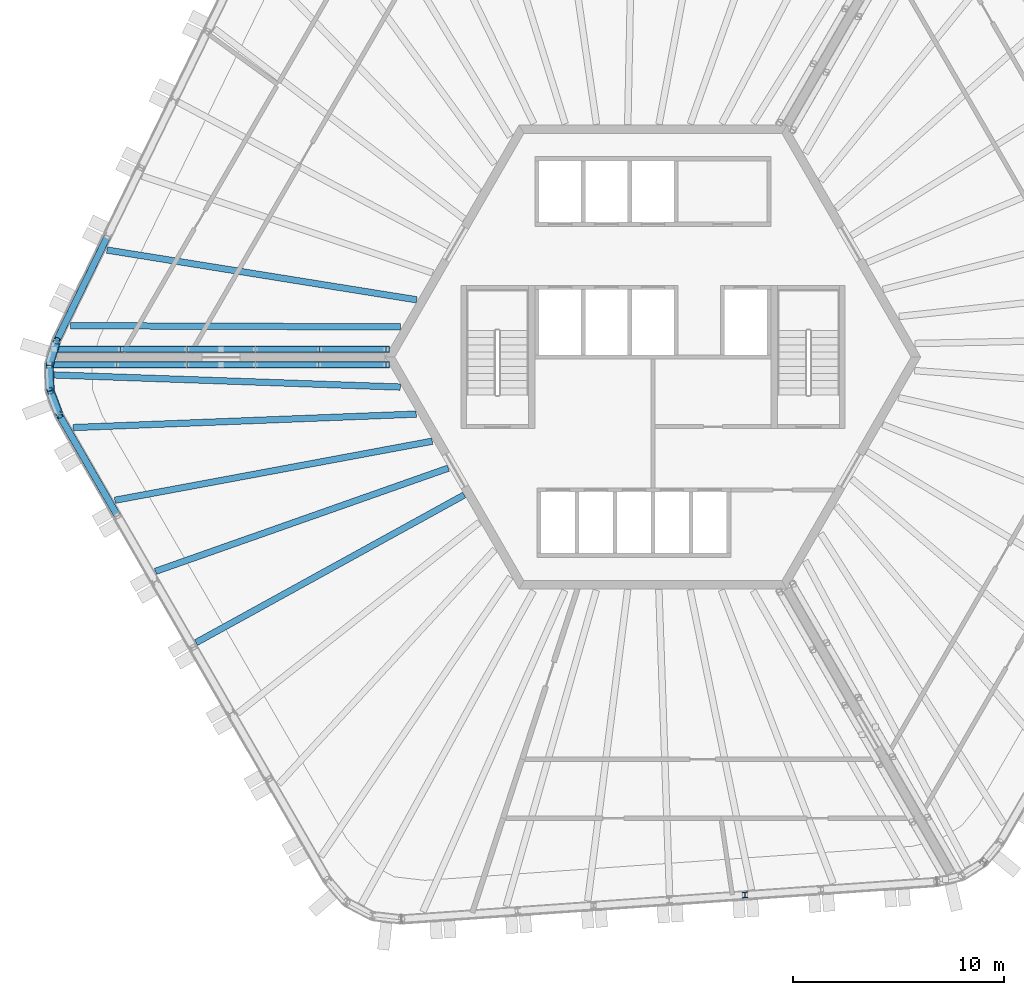
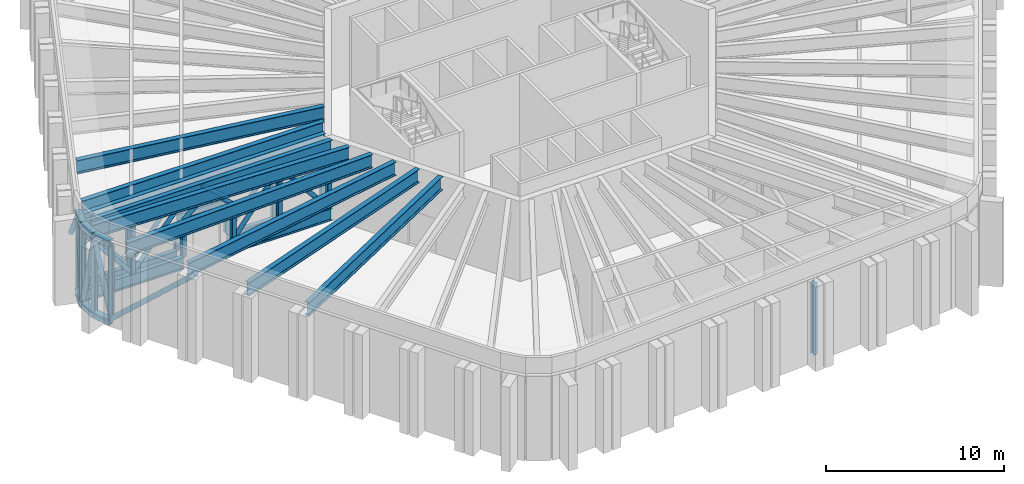
# One storey, part 3 of 19: 46 members, 7 beams.
"""IFC4 building model written with IfcOpenShell, lengths in metres."""

from ifc_helpers import new_model, si_unit, direction, frame, origin, origin_2d, place, context, subcontext, project, spatial, hollow_circle, i_section, extrude, material, material_profile, profile_set, type_object, element, save


model = new_model("IFC4")

# Units and contexts
model_context = context("Model", 3, precision=1e-05, world=origin(), true_north=direction((0.0, 1.0)))
body_context = subcontext(model_context, "Body", "Model", "MODEL_VIEW")
ifc_project = project(units=[si_unit("LENGTHUNIT", "METRE"), si_unit("AREAUNIT", "SQUARE_METRE"), si_unit("VOLUMEUNIT", "CUBIC_METRE"), si_unit("PLANEANGLEUNIT", "RADIAN"), si_unit("MASSUNIT", "GRAM", prefix="KILO")], contexts=[model_context])

# Site, building, storey
site_placement = place(None, origin())
site = spatial("IfcSite", under=ifc_project, at=site_placement, CompositionType="ELEMENT")
building_placement = place(site_placement, origin())
building = spatial("IfcBuilding", under=site, at=building_placement, Name="Tarnside Tower", CompositionType="ELEMENT")
storey_placement = place(building_placement, frame((0.0, 0.0, 343.5)))
storey = spatial("IfcBuildingStorey", under=building, at=storey_placement, Name="L83", CompositionType="ELEMENT", Elevation=343.5)

# Beams
ifc_material = material(Name="Steel S355", Category="steel")
ifc_material_profile_1 = material_profile(ifc_material, i_section(OverallWidth=0.3076171875, OverallDepth=0.926513671875, WebThickness=0.01953125, FlangeThickness=0.031982421875, FilletRadius=0.01904296875, at=origin_2d()), Name="UB 914x305x289")
ifc_profile_set_1 = profile_set([ifc_material_profile_1], Name="Steel S355")
beam_type = type_object("IfcBeamType", Name="Floor beam UB 914x305x289", PredefinedType="BEAM", material=ifc_profile_set_1)
beam_1_placement = place(storey_placement, frame((-25.88720703125, 5.07275390625, 5.03662109375), z_axis=(0.987342122719, -0.158604958011, 0.0), x_axis=(0.158604958011, 0.987342122719, 0.0)))
element("IfcBeam", 1, at=beam_1_placement, inside=storey, type_object=beam_type, Name="Floor beam F2.06", PredefinedType="BEAM", context=body_context, shape_type="SweptSolid", body=[
    extrude(i_section(OverallWidth=0.3076171875, OverallDepth=0.926513671875, WebThickness=0.01953125, FlangeThickness=0.031982421875, FilletRadius=0.01904296875, at=origin_2d()), origin(), (0.0, 0.0, 1.0), 14.875732421875),
])
beam_2_placement = place(storey_placement, frame((-27.620849609375, 1.485107421875, 5.03662109375), z_axis=(0.999993331831, -0.003651889001, 0.0), x_axis=(0.003651889001, 0.999993331831, 0.0)))
element("IfcBeam", 2, at=beam_2_placement, inside=storey, type_object=beam_type, Name="Floor beam F2.07", PredefinedType="BEAM", context=body_context, shape_type="SweptSolid", body=[
    extrude(i_section(OverallWidth=0.3076171875, OverallDepth=0.926513671875, WebThickness=0.01953125, FlangeThickness=0.031982421875, FilletRadius=0.01904296875, at=origin_2d()), origin(), (0.0, 0.0, 1.0), 15.6435546875),
])
beam_3_placement = place(storey_placement, frame((-28.383056640625, -0.849609375, 5.03662109375), z_axis=(0.99938698551, -0.035009330097, 0.0), x_axis=(0.035009330097, 0.99938698551, 0.0)))
element("IfcBeam", 3, at=beam_3_placement, inside=storey, type_object=beam_type, Name="Floor beam C2", PredefinedType="BEAM", context=body_context, shape_type="SweptSolid", body=[
    extrude(i_section(OverallWidth=0.3076171875, OverallDepth=0.926513671875, WebThickness=0.01953125, FlangeThickness=0.031982421875, FilletRadius=0.01904296875, at=origin_2d()), origin(), (0.0, 0.0, 1.0), 16.415771484375),
])
beam_4_placement = place(storey_placement, frame((-27.488037109375, -3.3447265625, 5.03662109375), z_axis=(0.999232549315, 0.039170299838, 0.0), x_axis=(-0.039170299838, 0.999232549315, 0.0)))
element("IfcBeam", 4, at=beam_4_placement, inside=storey, type_object=beam_type, Name="Floor beam F3.01", PredefinedType="BEAM", context=body_context, shape_type="SweptSolid", body=[
    extrude(i_section(OverallWidth=0.3076171875, OverallDepth=0.926513671875, WebThickness=0.01953125, FlangeThickness=0.031982421875, FilletRadius=0.01904296875, at=origin_2d()), origin(), (0.0, 0.0, 1.0), 16.280029296875),
])
beam_5_placement = place(storey_placement, frame((-25.51416015625, -6.7919921875, 5.03662109375), z_axis=(0.983124180493, 0.182939459192, 0.0), x_axis=(-0.182939459192, 0.983124180493, 0.0)))
element("IfcBeam", 5, at=beam_5_placement, inside=storey, type_object=beam_type, Name="Floor beam F3.02", PredefinedType="BEAM", context=body_context, shape_type="SweptSolid", body=[
    extrude(i_section(OverallWidth=0.3076171875, OverallDepth=0.926513671875, WebThickness=0.01953125, FlangeThickness=0.031982421875, FilletRadius=0.01904296875, at=origin_2d()), origin(), (0.0, 0.0, 1.0), 15.309814453125),
])
beam_6_placement = place(storey_placement, frame((-23.587890625, -10.1630859375, 5.03662109375), z_axis=(0.943137824237, 0.332401932145, 0.0), x_axis=(-0.332401932145, 0.943137824237, 0.0)))
element("IfcBeam", 6, at=beam_6_placement, inside=storey, type_object=beam_type, Name="Floor beam F3.03", PredefinedType="BEAM", context=body_context, shape_type="SweptSolid", body=[
    extrude(i_section(OverallWidth=0.3076171875, OverallDepth=0.926513671875, WebThickness=0.01953125, FlangeThickness=0.031982421875, FilletRadius=0.01904296875, at=origin_2d()), origin(), (0.0, 0.0, 1.0), 14.72021484375),
])
beam_7_placement = place(storey_placement, frame((-21.660400390625, -13.5400390625, 5.03662109375), z_axis=(0.876056727652, 0.48220805669, 0.0), x_axis=(-0.48220805669, 0.876056727652, 0.0)))
element("IfcBeam", 7, at=beam_7_placement, inside=storey, type_object=beam_type, Name="Floor beam F3.04", PredefinedType="BEAM", context=body_context, shape_type="SweptSolid", body=[
    extrude(i_section(OverallWidth=0.3076171875, OverallDepth=0.926513671875, WebThickness=0.01953125, FlangeThickness=0.031982421875, FilletRadius=0.01904296875, at=origin_2d()), origin(), (0.0, 0.0, 1.0), 14.511474609375),
])

# Members
ifc_material_profile_2 = material_profile(ifc_material, i_section(OverallWidth=0.291748046875, OverallDepth=0.8349609375, WebThickness=0.013916015625, FlangeThickness=0.018798828125, FilletRadius=0.017822265625, at=origin_2d()), Name="UB 838x292x176")
ifc_profile_set_2 = profile_set([ifc_material_profile_2], Name="Steel S355")
member_type_1 = type_object("IfcMemberType", Name="Outrigger chord UB 838x292x176", PredefinedType="CHORD", material=ifc_profile_set_2)
member_1_placement = place(storey_placement, frame((-12.490478515625, -0.36572265625, 5.08251953125), z_axis=(-1.0, 0.0, 0.0), x_axis=(0.0, -1.0, 0.0)))
element("IfcMember", 8, at=member_1_placement, inside=storey, type_object=member_type_1, Name="Outrigger truss top chord OR2A L83", PredefinedType="CHORD", context=body_context, shape_type="SweptSolid", body=[
    extrude(i_section(OverallWidth=0.291748046875, OverallDepth=0.8349609375, WebThickness=0.013916015625, FlangeThickness=0.018798828125, FilletRadius=0.017822265625, at=origin_2d()), origin(), (0.0, 0.0, 1.0), 16.122802734375),
])
member_2_placement = place(storey_placement, frame((-12.490478515625, -0.36572265625, 0.41748046875), z_axis=(-1.0, 0.0, 0.0), x_axis=(0.0, -1.0, 0.0)))
element("IfcMember", 9, at=member_2_placement, inside=storey, type_object=member_type_1, Name="Outrigger truss bottom chord OR2A L83", PredefinedType="CHORD", context=body_context, shape_type="SweptSolid", body=[
    extrude(i_section(OverallWidth=0.291748046875, OverallDepth=0.8349609375, WebThickness=0.013916015625, FlangeThickness=0.018798828125, FilletRadius=0.017822265625, at=origin_2d()), origin(), (0.0, 0.0, 1.0), 6.365234375),
])
member_3_placement = place(storey_placement, frame((-22.09228515625, -0.36572265625, 0.41748046875), z_axis=(-1.0, 0.0, 0.0), x_axis=(0.0, -1.0, 0.0)))
element("IfcMember", 10, at=member_3_placement, inside=storey, type_object=member_type_1, Name="Outrigger truss bottom chord OR2A L83", PredefinedType="CHORD", context=body_context, shape_type="SweptSolid", body=[
    extrude(i_section(OverallWidth=0.291748046875, OverallDepth=0.8349609375, WebThickness=0.013916015625, FlangeThickness=0.018798828125, FilletRadius=0.017822265625, at=origin_2d()), origin(), (0.0, 0.0, 1.0), 6.52099609375),
])
member_4_placement = place(storey_placement, frame((-18.855712890625, -0.36572265625, 2.867431640625), z_axis=(-1.0, 0.0, 0.0), x_axis=(0.0, -1.0, 0.0)))
element("IfcMember", 11, at=member_4_placement, inside=storey, type_object=member_type_1, Name="Outrigger truss lintel OR2A L83", PredefinedType="CHORD", context=body_context, shape_type="SweptSolid", body=[
    extrude(i_section(OverallWidth=0.291748046875, OverallDepth=0.8349609375, WebThickness=0.013916015625, FlangeThickness=0.018798828125, FilletRadius=0.017822265625, at=origin_2d()), origin(), (0.0, 0.0, 1.0), 3.236572265625),
])
member_5_placement = place(storey_placement, frame((-12.490478515625, 0.365966796875, 5.08251953125), z_axis=(-1.0, 0.0, 0.0), x_axis=(0.0, -1.0, 0.0)))
element("IfcMember", 12, at=member_5_placement, inside=storey, type_object=member_type_1, Name="Outrigger truss top chord OR2B L83", PredefinedType="CHORD", context=body_context, shape_type="SweptSolid", body=[
    extrude(i_section(OverallWidth=0.291748046875, OverallDepth=0.8349609375, WebThickness=0.013916015625, FlangeThickness=0.018798828125, FilletRadius=0.017822265625, at=origin_2d()), origin(), (0.0, 0.0, 1.0), 15.903564453125),
])
member_6_placement = place(storey_placement, frame((-12.490478515625, 0.365966796875, 0.41748046875), z_axis=(-1.0, 0.0, 0.0), x_axis=(0.0, -1.0, 0.0)))
element("IfcMember", 13, at=member_6_placement, inside=storey, type_object=member_type_1, Name="Outrigger truss bottom chord OR2B L83", PredefinedType="CHORD", context=body_context, shape_type="SweptSolid", body=[
    extrude(i_section(OverallWidth=0.291748046875, OverallDepth=0.8349609375, WebThickness=0.013916015625, FlangeThickness=0.018798828125, FilletRadius=0.017822265625, at=origin_2d()), origin(), (0.0, 0.0, 1.0), 6.365234375),
])
member_7_placement = place(storey_placement, frame((-22.09228515625, 0.365966796875, 0.41748046875), z_axis=(-1.0, 0.0, 0.0), x_axis=(0.0, -1.0, 0.0)))
element("IfcMember", 14, at=member_7_placement, inside=storey, type_object=member_type_1, Name="Outrigger truss bottom chord OR2B L83", PredefinedType="CHORD", context=body_context, shape_type="SweptSolid", body=[
    extrude(i_section(OverallWidth=0.291748046875, OverallDepth=0.8349609375, WebThickness=0.013916015625, FlangeThickness=0.018798828125, FilletRadius=0.017822265625, at=origin_2d()), origin(), (0.0, 0.0, 1.0), 6.3017578125),
])
member_8_placement = place(storey_placement, frame((-18.855712890625, 0.365966796875, 2.867431640625), z_axis=(-1.0, 0.0, 0.0), x_axis=(0.0, -1.0, 0.0)))
element("IfcMember", 15, at=member_8_placement, inside=storey, type_object=member_type_1, Name="Outrigger truss lintel OR2B L83", PredefinedType="CHORD", context=body_context, shape_type="SweptSolid", body=[
    extrude(i_section(OverallWidth=0.291748046875, OverallDepth=0.8349609375, WebThickness=0.013916015625, FlangeThickness=0.018798828125, FilletRadius=0.017822265625, at=origin_2d()), origin(), (0.0, 0.0, 1.0), 3.236572265625),
])
ifc_material_profile_3 = material_profile(ifc_material, hollow_circle(Radius=0.136474609375, WallThickness=0.012451171875, at=origin_2d()), Name="CHS 273x12.5")
ifc_profile_set_3 = profile_set([ifc_material_profile_3], Name="Steel S355")
member_type_2 = type_object("IfcMemberType", Name="Outrigger diagonal CHS 273x12.5", PredefinedType="BRACE", material=ifc_profile_set_3)
member_9_placement = place(storey_placement, frame((-12.65625, -0.36572265625, 0.8349609375), z_axis=(-0.640145864485, 0.0, 0.768253390609), x_axis=(0.0, -1.0, 0.0)))
element("IfcMember", 16, at=member_9_placement, inside=storey, type_object=member_type_2, Name="Outrigger truss diagonal OR2A 1", PredefinedType="BRACE", context=body_context, shape_type="SweptSolid", body=[
    extrude(hollow_circle(Radius=0.136474609375, WallThickness=0.012451171875, at=origin_2d()), origin(), (0.0, 0.0, 1.0), 4.9853515625),
])
member_10_placement = place(storey_placement, frame((-15.84765625, -0.36572265625, 4.6650390625), z_axis=(-0.617657705139, 0.0, -0.786447047984), x_axis=(0.0, -1.0, 0.0)))
element("IfcMember", 17, at=member_10_placement, inside=storey, type_object=member_type_2, Name="Outrigger truss diagonal OR2A 2", PredefinedType="BRACE", context=body_context, shape_type="SweptSolid", body=[
    extrude(hollow_circle(Radius=0.136474609375, WallThickness=0.012451171875, at=origin_2d()), origin(), (0.0, 0.0, 1.0), 4.8701171875),
])
member_11_placement = place(storey_placement, frame((-18.855712890625, -0.36572265625, 3.284912109375), z_axis=(-0.760850621755, 0.0, 0.648927061675), x_axis=(0.0, -1.0, 0.0)))
element("IfcMember", 18, at=member_11_placement, inside=storey, type_object=member_type_2, Name="Outrigger truss diagonal OR2A 3", PredefinedType="BRACE", context=body_context, shape_type="SweptSolid", body=[
    extrude(hollow_circle(Radius=0.136474609375, WallThickness=0.012451171875, at=origin_2d()), origin(), (0.0, 0.0, 1.0), 2.126708984375),
])
member_12_placement = place(storey_placement, frame((-22.09228515625, -0.36572265625, 3.284912109375), z_axis=(0.760898955648, 0.0, 0.648870387129), x_axis=(0.0, 1.0, 0.0)))
element("IfcMember", 19, at=member_12_placement, inside=storey, type_object=member_type_2, Name="Outrigger truss diagonal OR2A 4", PredefinedType="BRACE", context=body_context, shape_type="SweptSolid", body=[
    extrude(hollow_circle(Radius=0.136474609375, WallThickness=0.012451171875, at=origin_2d()), origin(), (0.0, 0.0, 1.0), 2.126953125),
])
member_13_placement = place(storey_placement, frame((-22.09228515625, -0.36572265625, 4.6650390625), z_axis=(-0.656076281934, 0.0, -0.754694582122), x_axis=(0.0, -1.0, 0.0)))
element("IfcMember", 20, at=member_13_placement, inside=storey, type_object=member_type_2, Name="Outrigger truss diagonal OR2A 5", PredefinedType="BRACE", context=body_context, shape_type="SweptSolid", body=[
    extrude(hollow_circle(Radius=0.136474609375, WallThickness=0.012451171875, at=origin_2d()), origin(), (0.0, 0.0, 1.0), 5.074951171875),
])
member_14_placement = place(storey_placement, frame((-25.421875, -0.36572265625, 0.8349609375), z_axis=(-0.640145864485, 0.0, 0.768253390609), x_axis=(0.0, -1.0, 0.0)))
element("IfcMember", 21, at=member_14_placement, inside=storey, type_object=member_type_2, Name="Outrigger truss diagonal OR2A 6", PredefinedType="BRACE", context=body_context, shape_type="SweptSolid", body=[
    extrude(hollow_circle(Radius=0.136474609375, WallThickness=0.012451171875, at=origin_2d()), origin(), (0.0, 0.0, 1.0), 4.9853515625),
])
member_15_placement = place(storey_placement, frame((-12.65625, 0.365966796875, 0.8349609375), z_axis=(-0.634928436923, 0.0, 0.772570954661), x_axis=(0.0, -1.0, 0.0)))
element("IfcMember", 22, at=member_15_placement, inside=storey, type_object=member_type_2, Name="Outrigger truss diagonal OR2B 1", PredefinedType="BRACE", context=body_context, shape_type="SweptSolid", body=[
    extrude(hollow_circle(Radius=0.136474609375, WallThickness=0.012451171875, at=origin_2d()), origin(), (0.0, 0.0, 1.0), 4.95751953125),
])
member_16_placement = place(storey_placement, frame((-15.803955078125, 0.365966796875, 4.6650390625), z_axis=(-0.623161779154, 0.0, -0.78209295931), x_axis=(0.0, -1.0, 0.0)))
element("IfcMember", 23, at=member_16_placement, inside=storey, type_object=member_type_2, Name="Outrigger truss diagonal OR2B 2", PredefinedType="BRACE", context=body_context, shape_type="SweptSolid", body=[
    extrude(hollow_circle(Radius=0.136474609375, WallThickness=0.012451171875, at=origin_2d()), origin(), (0.0, 0.0, 1.0), 4.897216796875),
])
member_17_placement = place(storey_placement, frame((-18.855712890625, 0.365966796875, 3.284912109375), z_axis=(-0.760850621755, 0.0, 0.648927061675), x_axis=(0.0, -1.0, 0.0)))
element("IfcMember", 24, at=member_17_placement, inside=storey, type_object=member_type_2, Name="Outrigger truss diagonal OR2B 3", PredefinedType="BRACE", context=body_context, shape_type="SweptSolid", body=[
    extrude(hollow_circle(Radius=0.136474609375, WallThickness=0.012451171875, at=origin_2d()), origin(), (0.0, 0.0, 1.0), 2.126708984375),
])
member_18_placement = place(storey_placement, frame((-22.09228515625, 0.365966796875, 3.284912109375), z_axis=(0.760898955648, 0.0, 0.648870387129), x_axis=(0.0, 1.0, 0.0)))
element("IfcMember", 25, at=member_18_placement, inside=storey, type_object=member_type_2, Name="Outrigger truss diagonal OR2B 4", PredefinedType="BRACE", context=body_context, shape_type="SweptSolid", body=[
    extrude(hollow_circle(Radius=0.136474609375, WallThickness=0.012451171875, at=origin_2d()), origin(), (0.0, 0.0, 1.0), 2.126953125),
])
member_19_placement = place(storey_placement, frame((-22.09228515625, 0.365966796875, 4.6650390625), z_axis=(-0.635721050286, 0.0, -0.771918872825), x_axis=(0.0, -1.0, 0.0)))
element("IfcMember", 26, at=member_19_placement, inside=storey, type_object=member_type_2, Name="Outrigger truss diagonal OR2B 5", PredefinedType="BRACE", context=body_context, shape_type="SweptSolid", body=[
    extrude(hollow_circle(Radius=0.136474609375, WallThickness=0.012451171875, at=origin_2d()), origin(), (0.0, 0.0, 1.0), 4.961669921875),
])
member_20_placement = place(storey_placement, frame((-25.24658203125, 0.365966796875, 0.8349609375), z_axis=(-0.634899042298, 0.0, 0.772595111354), x_axis=(0.0, -1.0, 0.0)))
element("IfcMember", 27, at=member_20_placement, inside=storey, type_object=member_type_2, Name="Outrigger truss diagonal OR2B 6", PredefinedType="BRACE", context=body_context, shape_type="SweptSolid", body=[
    extrude(hollow_circle(Radius=0.136474609375, WallThickness=0.012451171875, at=origin_2d()), origin(), (0.0, 0.0, 1.0), 4.95751953125),
])
ifc_material_profile_4 = material_profile(ifc_material, i_section(OverallWidth=0.26123046875, OverallDepth=0.2763671875, WebThickness=0.015380859375, FlangeThickness=0.025390625, FilletRadius=0.0126953125, at=origin_2d()), Name="UC 254x254x132")
ifc_profile_set_4 = profile_set([ifc_material_profile_4], Name="Steel S355")
member_type_3 = type_object("IfcMemberType", Name="Outrigger post UC 254x254x132", PredefinedType="POST", material=ifc_profile_set_4)
for number, where, z_axis, x_axis, name in (
    (28, (-12.65625, -0.36572265625, 0.8349609375), (0.0, 0.0, 1.0), (-1.0, 0.0, 0.0), "Outrigger truss post OR2A 1"),
    (29, (-15.84765625, -0.36572265625, 0.8349609375), (0.0, 0.0, 1.0), (-1.0, 0.0, 0.0), "Outrigger truss post OR2A 2"),
):
    element("IfcMember", number, at=place(storey_placement, frame(where, z_axis=z_axis, x_axis=x_axis)), inside=storey, type_object=member_type_3, Name=name, PredefinedType="POST", context=body_context, shape_type="SweptSolid", body=[
        extrude(i_section(OverallWidth=0.26123046875, OverallDepth=0.2763671875, WebThickness=0.015380859375, FlangeThickness=0.025390625, FilletRadius=0.0126953125, at=origin_2d()), origin(), (0.0, 0.0, 1.0), 3.830078125),
    ])
for number, where, z_axis, x_axis, name in (
    (30, (-18.855712890625, -0.36572265625, 0.8349609375), (0.0, 0.0, 1.0), (-1.0, 0.0, 0.0), "Outrigger truss post OR2A 3"),
    (31, (-22.09228515625, -0.36572265625, 0.8349609375), (0.0, 0.0, 1.0), (-1.0, 0.0, 0.0), "Outrigger truss post OR2A 4"),
):
    element("IfcMember", number, at=place(storey_placement, frame(where, z_axis=z_axis, x_axis=x_axis)), inside=storey, type_object=member_type_3, Name=name, PredefinedType="POST", context=body_context, shape_type="SweptSolid", body=[
        extrude(i_section(OverallWidth=0.26123046875, OverallDepth=0.2763671875, WebThickness=0.015380859375, FlangeThickness=0.025390625, FilletRadius=0.0126953125, at=origin_2d()), origin(), (0.0, 0.0, 1.0), 1.614990234375),
    ])
for number, where, z_axis, x_axis, name in (
    (32, (-25.421875, -0.36572265625, 0.8349609375), (0.0, 0.0, 1.0), (-1.0, 0.0, 0.0), "Outrigger truss post OR2A 5"),
    (33, (-12.65625, 0.365966796875, 0.8349609375), (0.0, 0.0, 1.0), (-1.0, 0.0, 0.0), "Outrigger truss post OR2B 1"),
    (34, (-15.803955078125, 0.365966796875, 0.8349609375), (0.0, 0.0, 1.0), (-1.0, 0.0, 0.0), "Outrigger truss post OR2B 2"),
):
    element("IfcMember", number, at=place(storey_placement, frame(where, z_axis=z_axis, x_axis=x_axis)), inside=storey, type_object=member_type_3, Name=name, PredefinedType="POST", context=body_context, shape_type="SweptSolid", body=[
        extrude(i_section(OverallWidth=0.26123046875, OverallDepth=0.2763671875, WebThickness=0.015380859375, FlangeThickness=0.025390625, FilletRadius=0.0126953125, at=origin_2d()), origin(), (0.0, 0.0, 1.0), 3.830078125),
    ])
for number, where, z_axis, x_axis, name in (
    (35, (-18.855712890625, 0.365966796875, 0.8349609375), (0.0, 0.0, 1.0), (-1.0, 0.0, 0.0), "Outrigger truss post OR2B 3"),
    (36, (-22.09228515625, 0.365966796875, 0.8349609375), (0.0, 0.0, 1.0), (-1.0, 0.0, 0.0), "Outrigger truss post OR2B 4"),
):
    element("IfcMember", number, at=place(storey_placement, frame(where, z_axis=z_axis, x_axis=x_axis)), inside=storey, type_object=member_type_3, Name=name, PredefinedType="POST", context=body_context, shape_type="SweptSolid", body=[
        extrude(i_section(OverallWidth=0.26123046875, OverallDepth=0.2763671875, WebThickness=0.015380859375, FlangeThickness=0.025390625, FilletRadius=0.0126953125, at=origin_2d()), origin(), (0.0, 0.0, 1.0), 1.614990234375),
    ])
member_21_placement = place(storey_placement, frame((-25.24658203125, 0.365966796875, 0.8349609375), z_axis=(0.0, 0.0, 1.0), x_axis=(-1.0, 0.0, 0.0)))
element("IfcMember", 37, at=member_21_placement, inside=storey, type_object=member_type_3, Name="Outrigger truss post OR2B 5", PredefinedType="POST", context=body_context, shape_type="SweptSolid", body=[
    extrude(i_section(OverallWidth=0.26123046875, OverallDepth=0.2763671875, WebThickness=0.015380859375, FlangeThickness=0.025390625, FilletRadius=0.0126953125, at=origin_2d()), origin(), (0.0, 0.0, 1.0), 3.830078125),
])
ifc_material_profile_5 = material_profile(ifc_material, i_section(OverallWidth=0.39892578125, OverallDepth=0.3935546875, WebThickness=0.022705078125, FlangeThickness=0.03662109375, FilletRadius=0.01513671875, at=origin_2d()), Name="UC 356x406x287")
ifc_profile_set_5 = profile_set([ifc_material_profile_5], Name="Steel S355")
member_type_4 = type_object("IfcMemberType", Name="Truss chord UC 356x406x287", PredefinedType="CHORD", material=ifc_profile_set_5)
for number, where, z_axis, x_axis, name in (
    (38, (-28.271728515625, 0.7744140625, -0.103271484375), (-0.286813843218, -0.957986335674, 0.0), (0.957986335674, -0.286813843218, 0.0), "Belt truss bottom chord L83 corner2.1"),
    (39, (-28.62060546875, -0.390869140625, -0.103271484375), (0.034925456137, -0.999389920158, 0.0), (0.999389920158, 0.034925456137, 0.0), "Belt truss bottom chord L83 corner2.2"),
    (40, (-28.578125, -1.6064453125, -0.103271484375), (0.352838463023, -0.935684251771, 0.0), (0.935684251771, 0.352838463023, 0.0), "Belt truss bottom chord L83 corner2.3"),
):
    element("IfcMember", number, at=place(storey_placement, frame(where, z_axis=z_axis, x_axis=x_axis)), inside=storey, type_object=member_type_4, Name=name, PredefinedType="CHORD", context=body_context, shape_type="SweptSolid", body=[
        extrude(i_section(OverallWidth=0.39892578125, OverallDepth=0.3935546875, WebThickness=0.022705078125, FlangeThickness=0.03662109375, FilletRadius=0.01513671875, at=origin_2d()), origin(), (0.0, 0.0, 1.0), 1.21630859375),
    ])
ifc_material_profile_6 = material_profile(ifc_material, i_section(OverallWidth=0.403076171875, OverallDepth=0.406494140625, WebThickness=0.026611328125, FlangeThickness=0.04296875, FilletRadius=0.01513671875, at=origin_2d()), Name="UC 356x406x340")
ifc_profile_set_6 = profile_set([ifc_material_profile_6], Name="Steel S355")
member_type_5 = type_object("IfcMemberType", Name="Truss chord UC 356x406x340", PredefinedType="CHORD", material=ifc_profile_set_6)
for number, where, z_axis, x_axis, name in (
    (41, (-28.271728515625, 0.7744140625, 5.296875), (-0.286813843218, -0.957986335674, 0.0), (0.957986335674, -0.286813843218, 0.0), "Belt truss top chord L83 corner2.1"),
    (42, (-28.62060546875, -0.390869140625, 5.296875), (0.034925456137, -0.999389920158, 0.0), (0.999389920158, 0.034925456137, 0.0), "Belt truss top chord L83 corner2.2"),
    (43, (-28.578125, -1.6064453125, 5.296875), (0.352838463023, -0.935684251771, 0.0), (0.935684251771, 0.352838463023, 0.0), "Belt truss top chord L83 corner2.3"),
):
    element("IfcMember", number, at=place(storey_placement, frame(where, z_axis=z_axis, x_axis=x_axis)), inside=storey, type_object=member_type_5, Name=name, PredefinedType="CHORD", context=body_context, shape_type="SweptSolid", body=[
        extrude(i_section(OverallWidth=0.403076171875, OverallDepth=0.406494140625, WebThickness=0.026611328125, FlangeThickness=0.04296875, FilletRadius=0.01513671875, at=origin_2d()), origin(), (0.0, 0.0, 1.0), 1.21630859375),
    ])
ifc_material_profile_7 = material_profile(ifc_material, hollow_circle(Radius=0.161865234375, WallThickness=0.012451171875, at=origin_2d()), Name="CHS 323.9x12.5")
ifc_profile_set_7 = profile_set([ifc_material_profile_7], Name="Steel S355")
member_type_6 = type_object("IfcMemberType", Name="Truss diagonal CHS 323.9x12.5", PredefinedType="BRACE", material=ifc_profile_set_7)
member_22_placement = place(storey_placement, frame((-25.85107421875, 5.73779296875, 0.093505859375), z_axis=(-0.324942881082, -0.666272190862, 0.671188119471), x_axis=(0.898804559017, -0.438349591867, 0.0)))
element("IfcMember", 44, at=member_22_placement, inside=storey, type_object=member_type_6, Name="Belt truss diagonal L83 15", PredefinedType="BRACE", context=body_context, shape_type="SweptSolid", body=[
    extrude(hollow_circle(Radius=0.161865234375, WallThickness=0.012451171875, at=origin_2d()), origin(), (0.0, 0.0, 1.0), 7.449462890625),
])
for number, where, z_axis, x_axis, name in (
    (45, (-28.271728515625, 0.7744140625, 5.093505859375), (-0.067797951202, -0.226451799221, -0.97165993045), (0.957986335674, -0.286813843218, 0.0), "Belt truss diagonal L83 16"),
    (46, (-28.62060546875, -0.390869140625, 0.093505859375), (0.00825534037, -0.236226090248, 0.971663050466), (0.999389920158, 0.034925456137, 0.0), "Belt truss diagonal L83 17"),
    (47, (-28.578125, -1.6064453125, 5.093505859375), (0.083407020393, -0.221185170121, -0.971658576593), (0.935684251771, 0.352838463023, 0.0), "Belt truss diagonal L83 18"),
):
    element("IfcMember", number, at=place(storey_placement, frame(where, z_axis=z_axis, x_axis=x_axis)), inside=storey, type_object=member_type_6, Name=name, PredefinedType="BRACE", context=body_context, shape_type="SweptSolid", body=[
        extrude(hollow_circle(Radius=0.161865234375, WallThickness=0.012451171875, at=origin_2d()), origin(), (0.0, 0.0, 1.0), 5.145751953125),
    ])
member_23_placement = place(storey_placement, frame((-28.14892578125, -2.74462890625, 0.093505859375), z_axis=(0.370655265357, -0.641977541387, 0.671177704202), x_axis=(0.866019936856, 0.500009468878, 0.0)))
element("IfcMember", 48, at=member_23_placement, inside=storey, type_object=member_type_6, Name="Belt truss diagonal L83 19", PredefinedType="BRACE", context=body_context, shape_type="SweptSolid", body=[
    extrude(hollow_circle(Radius=0.161865234375, WallThickness=0.012451171875, at=origin_2d()), origin(), (0.0, 0.0, 1.0), 7.44970703125),
])
ifc_material_profile_8 = material_profile(ifc_material, i_section(OverallWidth=0.26123046875, OverallDepth=0.2763671875, WebThickness=0.015380859375, FlangeThickness=0.025390625, FilletRadius=0.0126953125, at=origin_2d()), Name="UC 254x254x132")
ifc_profile_set_8 = profile_set([ifc_material_profile_8], Name="Steel S355")
member_type_7 = type_object("IfcMemberType", Name="Truss post UC 254x254x132", PredefinedType="POST", material=ifc_profile_set_8)
for number, where, z_axis, x_axis, name in (
    (49, (-28.271728515625, 0.7744140625, 0.093505859375), (0.0, 0.0, 1.0), (-0.438371146789, -0.898794046299, 0.0), "Belt truss post L83 16"),
    (50, (-28.62060546875, -0.390869140625, 0.093505859375), (0.0, 0.0, 1.0), (0.034899496703, -0.999390827019, 0.0), "Belt truss post L83 17"),
    (51, (-28.578125, -1.6064453125, 0.093505859375), (0.0, 0.0, 1.0), (0.352930564719, -0.935649515837, 0.0), "Belt truss post L83 18"),
    (52, (-28.14892578125, -2.74462890625, 0.093505859375), (0.0, 0.0, 1.0), (0.5, -0.866025403784, 0.0), "Belt truss post L83 19"),
    (53, (4.365234375, -25.507568359375, 0.093505859375), (0.0, 0.0, 1.0), (0.99756405026, 0.069756473744, 0.0), "Belt truss post L83 32"),
):
    element("IfcMember", number, at=place(storey_placement, frame(where, z_axis=z_axis, x_axis=x_axis)), inside=storey, type_object=member_type_7, Name=name, PredefinedType="POST", context=body_context, shape_type="SweptSolid", body=[
        extrude(i_section(OverallWidth=0.26123046875, OverallDepth=0.2763671875, WebThickness=0.015380859375, FlangeThickness=0.025390625, FilletRadius=0.0126953125, at=origin_2d()), origin(), (0.0, 0.0, 1.0), 5.0),
    ])

save(model, "model.ifc")
